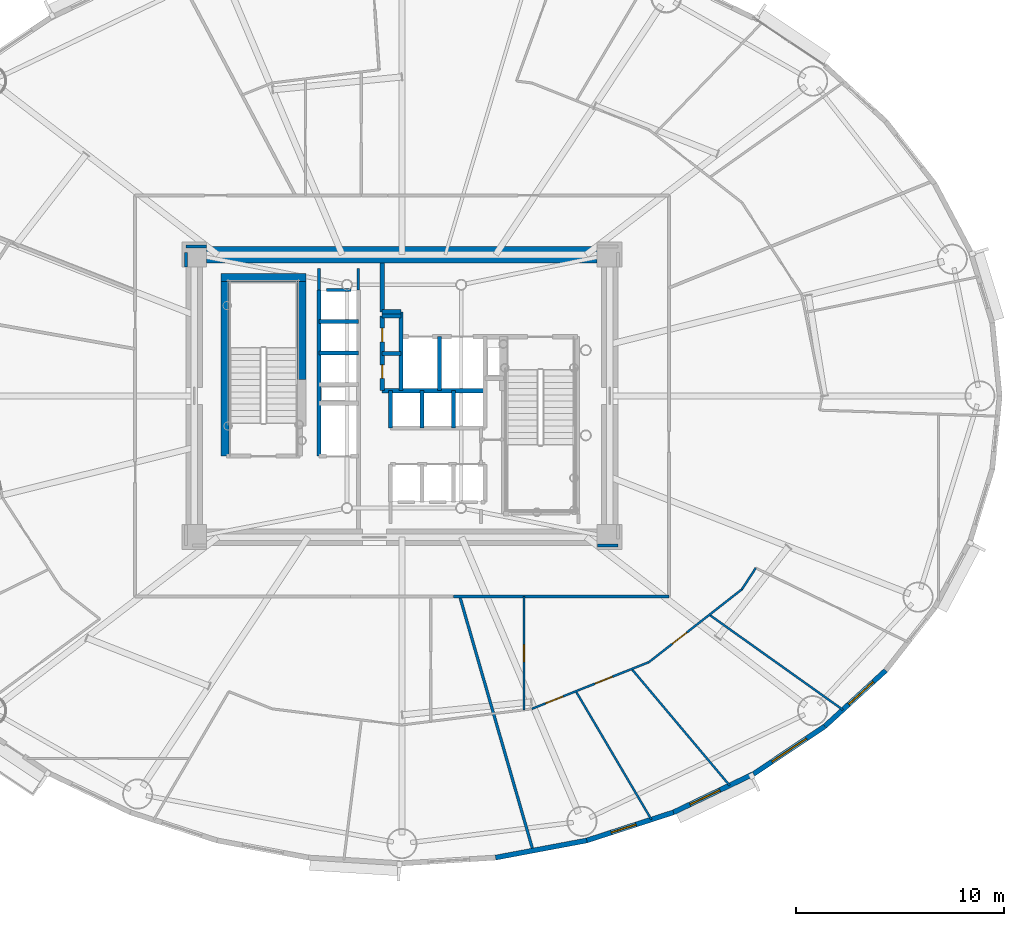
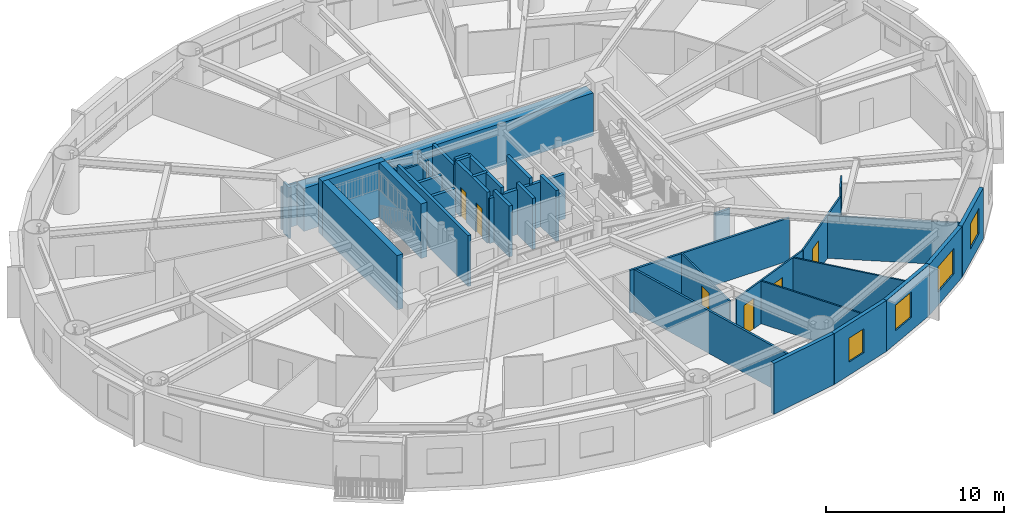
# One storey, part 13 of 22: 38 walls, 6 doors, 4 windows, 10 openings.
"""IFC4 building model written with IfcOpenShell, lengths in metres."""

from ifc_helpers import new_model, si_unit, direction, frame, frame_2d, origin, origin_2d, place, context, subcontext, project, spatial, rectangle, extrude, source, transform, mapped, material, layer, layer_set, type_object, element, fill, save


model = new_model("IFC4")

# Units and contexts
model_context = context("Model", 3, precision=1e-05, world=origin(), true_north=direction((0.0, 1.0)))
body_context = subcontext(model_context, "Body", "Model", "MODEL_VIEW")
ifc_project = project(units=[si_unit("LENGTHUNIT", "METRE"), si_unit("AREAUNIT", "SQUARE_METRE"), si_unit("VOLUMEUNIT", "CUBIC_METRE"), si_unit("PLANEANGLEUNIT", "RADIAN"), si_unit("MASSUNIT", "GRAM", prefix="KILO")], contexts=[model_context])

# Site, building, storey
site_placement = place(None, origin())
site = spatial("IfcSite", under=ifc_project, at=site_placement, CompositionType="ELEMENT")
building_placement = place(site_placement, origin())
building = spatial("IfcBuilding", under=site, at=building_placement, Name="Linh Dai School and Residence Tower", CompositionType="ELEMENT")
storey_placement = place(building_placement, frame((0.0, 0.0, 130.949951171875)))
storey = spatial("IfcBuildingStorey", under=building, at=storey_placement, Name="L31", CompositionType="ELEMENT", Elevation=130.949951171875)

# Wall
ifc_material_1 = material(Name="Precast Concrete B45 (C35/45)", Category="concrete")
ifc_layer_1 = layer(ifc_material_1, 0.239990234375)
ifc_layer_set_1 = layer_set([ifc_layer_1], Name="Precast Concrete B45 (C35/45)")
wall_type_1 = type_object("IfcWallType", Name="EW-TC-240", PredefinedType="SOLIDWALL", material=ifc_layer_set_1)
wall_1_placement = place(storey_placement, frame((44.899658203125, 5.5986328125, 0.0), z_axis=(0.0, 0.0, 1.0), x_axis=(-0.982789252177, -0.184730305596, 0.0)))
element("IfcWall", 1, at=wall_1_placement, inside=storey, type_object=wall_type_1, Name="L31 Terracotta Exterior Wall 32", PredefinedType="SOLIDWALL", context=body_context, shape_type="SweptSolid", body=[
    extrude(rectangle(XDim=4.470947265625, YDim=0.239990234375, at=frame_2d((2.2353515625, 0.0))), origin(), (0.0, 0.0, 1.0), 3.5),
])

# Wall, opening, window
wall_2_placement = place(storey_placement, frame((49.073974609375, 6.95263671875, 0.0), z_axis=(0.0, 0.0, 1.0), x_axis=(-0.951211346073, -0.308540070495, 0.0)))
wall_2 = element("IfcWall", 2, at=wall_2_placement, inside=storey, type_object=wall_type_1, Name="L31 Terracotta Exterior Wall 33", PredefinedType="SOLIDWALL", context=body_context, shape_type="SweptSolid", body=[
    extrude(rectangle(XDim=4.388427734375, YDim=0.239990234375, at=frame_2d((2.1943359375, 0.0))), origin(), (0.0, 0.0, 1.0), 3.5),
])
opening_1_placement = place(wall_2_placement, frame((1.902099609375, 0.0, 0.89990234375)))
opening_1 = element("IfcOpeningElement", 3, at=opening_1_placement, cuts=wall_2, Name="Opening W3", PredefinedType="OPENING", context=body_context, shape_type="SweptSolid", body=[
    extrude(rectangle(XDim=1.25, YDim=1.64990234375, at=origin_2d()), frame((0.625, 0.1298828125, 0.824951171875), z_axis=(0.0, -1.0, 0.0), x_axis=(1.0, 0.0, 0.0)), (0.0, 0.0, 1.0), 0.260009765625),
])
ifc_material_2 = material(Name="Double Low-E Insulated Glazing", Category="glass")
window_type_1 = type_object("IfcWindowType", Name="WN-RES-1250x1650", PartitioningType="SINGLE_PANEL", PredefinedType="WINDOW", material=ifc_material_2)
shared_shape_1 = source(origin(), body_context, "Body", "SweptSolid", [
    extrude(rectangle(XDim=1.25, YDim=1.64990234375, at=origin_2d()), frame((0.625, 0.030029296875, 0.824951171875), z_axis=(0.0, -1.0, 0.0), x_axis=(1.0, 0.0, 0.0)), (0.0, 0.0, 1.0), 0.06005859375),
])
window_1_placement = place(opening_1_placement, origin())
window_1 = element("IfcWindow", 4, at=window_1_placement, inside=storey, type_object=window_type_1, Name="L31 Dwelling Window U3102-BD1", OverallHeight=1.64990234375, OverallWidth=1.25, PartitioningType="SINGLE_PANEL", PredefinedType="WINDOW", context=body_context, shape_type="MappedRepresentation", body=[
    mapped(shared_shape_1, transform((0.0, 0.0, 0.0), x_axis=(1.0, 0.0, 0.0), y_axis=(0.0, 1.0, 0.0), z_axis=(0.0, 0.0, 1.0), scale=1.0)),
])
fill(opening_1, window_1)

wall_3_placement = place(storey_placement, frame((52.92529296875, 8.800537109375, 0.0), z_axis=(0.0, 0.0, 1.0), x_axis=(-0.901589935876, -0.432591709962, 0.0)))
wall_3 = element("IfcWall", 5, at=wall_3_placement, inside=storey, type_object=wall_type_1, Name="L31 Terracotta Exterior Wall 34", PredefinedType="SOLIDWALL", context=body_context, shape_type="SweptSolid", body=[
    extrude(rectangle(XDim=4.271728515625, YDim=0.239990234375, at=frame_2d((2.1357421875, 0.0))), origin(), (0.0, 0.0, 1.0), 3.5),
])
opening_2_placement = place(wall_3_placement, frame((1.796142578125, 0.0, 0.89990234375)))
opening_2 = element("IfcOpeningElement", 6, at=opening_2_placement, cuts=wall_3, Name="Opening W2", PredefinedType="OPENING", context=body_context, shape_type="SweptSolid", body=[
    extrude(rectangle(XDim=1.60009765625, YDim=1.75, at=origin_2d()), frame((0.800048828125, 0.1298828125, 0.875), z_axis=(0.0, -1.0, 0.0), x_axis=(1.0, 0.0, 0.0)), (0.0, 0.0, 1.0), 0.260009765625),
])
window_type_2 = type_object("IfcWindowType", Name="WN-RES-1600x1750", PartitioningType="DOUBLE_PANEL_VERTICAL", PredefinedType="WINDOW", material=ifc_material_2)
shared_shape_2 = source(origin(), body_context, "Body", "SweptSolid", [
    extrude(rectangle(XDim=1.60009765625, YDim=1.75, at=origin_2d()), frame((0.800048828125, 0.030029296875, 0.875), z_axis=(0.0, -1.0, 0.0), x_axis=(1.0, 0.0, 0.0)), (0.0, 0.0, 1.0), 0.06005859375),
])
window_2_placement = place(opening_2_placement, origin())
window_2 = element("IfcWindow", 7, at=window_2_placement, inside=storey, type_object=window_type_2, Name="L31 Exterior Window 34.1", OverallHeight=1.75, OverallWidth=1.60009765625, PartitioningType="DOUBLE_PANEL_VERTICAL", PredefinedType="WINDOW", context=body_context, shape_type="MappedRepresentation", body=[
    mapped(shared_shape_2, transform((0.0, 0.0, 0.0), x_axis=(1.0, 0.0, 0.0), y_axis=(0.0, 1.0, 0.0), z_axis=(0.0, 0.0, 1.0), scale=1.0)),
])
fill(opening_2, window_2)

wall_4_placement = place(storey_placement, frame((56.3583984375, 11.0966796875, 0.0), z_axis=(0.0, 0.0, 1.0), x_axis=(-0.831221811447, -0.555940914284, 0.0)))
wall_4 = element("IfcWall", 8, at=wall_4_placement, inside=storey, type_object=wall_type_1, Name="L31 Terracotta Exterior Wall 35", PredefinedType="SOLIDWALL", context=body_context, shape_type="SweptSolid", body=[
    extrude(rectangle(XDim=4.130126953125, YDim=0.239990234375, at=frame_2d((2.06494140625, 0.0))), origin(), (0.0, 0.0, 1.0), 3.5),
])
opening_3_placement = place(wall_4_placement, frame((1.065185546875, 0.0, 0.89990234375)))
opening_3 = element("IfcOpeningElement", 9, at=opening_3_placement, cuts=wall_4, Name="Opening W1", PredefinedType="OPENING", context=body_context, shape_type="SweptSolid", body=[
    extrude(rectangle(XDim=2.0, YDim=1.75, at=origin_2d()), frame((1.0, 0.1298828125, 0.875), z_axis=(0.0, -1.0, 0.0), x_axis=(1.0, 0.0, 0.0)), (0.0, 0.0, 1.0), 0.260009765625),
])
window_type_3 = type_object("IfcWindowType", Name="WN-RES-2000x1750", PartitioningType="DOUBLE_PANEL_VERTICAL", PredefinedType="WINDOW", material=ifc_material_2)
shared_shape_3 = source(origin(), body_context, "Body", "SweptSolid", [
    extrude(rectangle(XDim=2.0, YDim=1.75, at=origin_2d()), frame((1.0, 0.030029296875, 0.875), z_axis=(0.0, -1.0, 0.0), x_axis=(1.0, 0.0, 0.0)), (0.0, 0.0, 1.0), 0.06005859375),
])
window_3_placement = place(opening_3_placement, origin())
window_3 = element("IfcWindow", 10, at=window_3_placement, inside=storey, type_object=window_type_3, Name="L31 Exterior Window 35.1", OverallHeight=1.75, OverallWidth=2.0, PartitioningType="DOUBLE_PANEL_VERTICAL", PredefinedType="WINDOW", context=body_context, shape_type="MappedRepresentation", body=[
    mapped(shared_shape_3, transform((0.0, 0.0, 0.0), x_axis=(1.0, 0.0, 0.0), y_axis=(0.0, 1.0, 0.0), z_axis=(0.0, 0.0, 1.0), scale=1.0)),
])
fill(opening_3, window_3)

wall_5_placement = place(storey_placement, frame((59.2890625, 13.783447265625, 0.0), z_axis=(0.0, 0.0, 1.0), x_axis=(-0.737113356241, -0.675769117414, 0.0)))
wall_5 = element("IfcWall", 11, at=wall_5_placement, inside=storey, type_object=wall_type_1, Name="L31 Terracotta Exterior Wall 36", PredefinedType="SOLIDWALL", context=body_context, shape_type="SweptSolid", body=[
    extrude(rectangle(XDim=3.975830078125, YDim=0.239990234375, at=frame_2d((1.98779296875, 0.0))), origin(), (0.0, 0.0, 1.0), 3.5),
])
opening_4_placement = place(wall_5_placement, frame((0.809326171875, 0.0, 0.89990234375)))
opening_4 = element("IfcOpeningElement", 12, at=opening_4_placement, cuts=wall_5, Name="Opening W2", PredefinedType="OPENING", context=body_context, shape_type="SweptSolid", body=[
    extrude(rectangle(XDim=1.60009765625, YDim=1.75, at=origin_2d()), frame((0.800048828125, 0.1298828125, 0.875), z_axis=(0.0, -1.0, 0.0), x_axis=(1.0, 0.0, 0.0)), (0.0, 0.0, 1.0), 0.260009765625),
])
window_4_placement = place(opening_4_placement, origin())
window_4 = element("IfcWindow", 13, at=window_4_placement, inside=storey, type_object=window_type_2, Name="L31 Exterior Window 36.1", OverallHeight=1.75, OverallWidth=1.60009765625, PartitioningType="DOUBLE_PANEL_VERTICAL", PredefinedType="WINDOW", context=body_context, shape_type="MappedRepresentation", body=[
    mapped(shared_shape_2, transform((0.0, 0.0, 0.0), x_axis=(1.0, 0.0, 0.0), y_axis=(0.0, 1.0, 0.0), z_axis=(0.0, 0.0, 1.0), scale=1.0)),
])
fill(opening_4, window_4)

# Walls
ifc_material_3 = material(Name="Autoclaved Aerated Concrete Blockwork", Category="masonry")
ifc_layer_2 = layer(ifc_material_3, 0.135009765625)
ifc_layer_set_2 = layer_set([ifc_layer_2], Name="Autoclaved Aerated Concrete Blockwork")
wall_type_2 = type_object("IfcWallType", Name="IW-CORR-135-EI90", PredefinedType="PARTITIONING", material=ifc_layer_set_2)
wall_6_placement = place(storey_placement, frame((38.47705078125, 17.35009765625, 0.0), z_axis=(0.0, 0.0, 1.0), x_axis=(1.0, 0.0, 0.0)))
element("IfcWall", 14, at=wall_6_placement, inside=storey, type_object=wall_type_2, Name="L31 Interior Partition Wall 057", PredefinedType="PARTITIONING", context=body_context, shape_type="SweptSolid", body=[
    extrude(rectangle(XDim=10.373046875, YDim=0.135009765625, at=frame_2d((5.1865234375, 0.0))), origin(), (0.0, 0.0, 1.0), 2.93505859375),
])
wall_7_placement = place(storey_placement, frame((38.78173828125, 17.35009765625, 0.0), z_axis=(0.0, 0.0, 1.0), x_axis=(0.27698784025, -0.96087342369, 0.0)))
element("IfcWall", 15, at=wall_7_placement, inside=storey, type_object=wall_type_2, Name="L31 Interior Partition Wall 060", PredefinedType="PARTITIONING", context=body_context, shape_type="SweptSolid", body=[
    extrude(rectangle(XDim=12.74169921875, YDim=0.135009765625, at=frame_2d((6.370849609375, 0.0))), origin(), (0.0, 0.0, 1.0), 2.93505859375),
])
wall_8_placement = place(storey_placement, frame((32.360107421875, 32.10009765625, 0.0), z_axis=(0.0, 0.0, 1.0), x_axis=(1.0, 0.0, 0.0)))
element("IfcWall", 16, at=wall_8_placement, inside=storey, type_object=wall_type_2, Name="L31 Interior Partition Wall 097", PredefinedType="PARTITIONING", context=body_context, shape_type="SweptSolid", body=[
    extrude(rectangle(XDim=1.179931640625, YDim=0.135009765625, at=frame_2d((0.58984375, 0.0))), origin(), (0.0, 0.0, 1.0), 3.0849609375),
])
wall_9_placement = place(storey_placement, frame((32.0, 33.139892578125, 0.0), z_axis=(0.0, 0.0, 1.0), x_axis=(0.0, -1.0, 0.0)))
element("IfcWall", 17, at=wall_9_placement, inside=storey, type_object=wall_type_2, Name="L31 Interior Partition Wall 099", PredefinedType="PARTITIONING", context=body_context, shape_type="SweptSolid", body=[
    extrude(rectangle(XDim=1.02978515625, YDim=0.135009765625, at=frame_2d((0.514892578125, 0.0))), origin(), (0.0, 0.0, 1.0), 3.03515625),
])
wall_10_placement = place(storey_placement, frame((33.89990234375, 32.110107421875, 0.0), z_axis=(0.0, 0.0, 1.0), x_axis=(0.0, 1.0, 0.0)))
element("IfcWall", 18, at=wall_10_placement, inside=storey, type_object=wall_type_2, Name="L31 Interior Partition Wall 102", PredefinedType="PARTITIONING", context=body_context, shape_type="SweptSolid", body=[
    extrude(rectangle(XDim=1.02978515625, YDim=0.135009765625, at=frame_2d((0.514892578125, 0.0))), origin(), (0.0, 0.0, 1.0), 3.0849609375),
])
wall_11_placement = place(storey_placement, frame((26.590087890625, 34.199951171875, 0.0), z_axis=(0.0, 0.0, 1.0), x_axis=(-1.0, 0.0, 0.0)))
element("IfcWall", 19, at=wall_11_placement, inside=storey, type_object=wall_type_2, Name="L31 Interior Partition Wall 106", PredefinedType="PARTITIONING", context=body_context, shape_type="SweptSolid", body=[
    extrude(rectangle(XDim=0.989990234375, YDim=0.135009765625, at=frame_2d((0.4951171875, 0.0))), origin(), (0.0, 0.0, 1.0), 2.93505859375),
])
wall_12_placement = place(storey_placement, frame((25.60009765625, 33.892578125, 0.0), z_axis=(0.0, 0.0, 1.0), x_axis=(0.0, -1.0, 0.0)))
element("IfcWall", 20, at=wall_12_placement, inside=storey, type_object=wall_type_2, Name="L31 Interior Partition Wall 107", PredefinedType="PARTITIONING", context=body_context, shape_type="SweptSolid", body=[
    extrude(rectangle(XDim=0.6826171875, YDim=0.135009765625, at=frame_2d((0.34130859375, 0.0))), origin(), (0.0, 0.0, 1.0), 3.5),
])
wall_13_placement = place(storey_placement, frame((45.409912109375, 19.800048828125, 0.0), z_axis=(0.0, 0.0, 1.0), x_axis=(1.0, 0.0, 0.0)))
element("IfcWall", 21, at=wall_13_placement, inside=storey, type_object=wall_type_2, Name="L31 Interior Partition Wall 110", PredefinedType="PARTITIONING", context=body_context, shape_type="SweptSolid", body=[
    extrude(rectangle(XDim=0.989990234375, YDim=0.135009765625, at=frame_2d((0.4951171875, 0.0))), origin(), (0.0, 0.0, 1.0), 2.93505859375),
])
ifc_material_4 = material(Name="Concrete B45 (C35/45)", Category="concrete")
ifc_layer_3 = layer(ifc_material_4, 0.199951171875)
ifc_layer_set_3 = layer_set([ifc_layer_3], Name="Concrete B45 (C35/45)")
wall_type_3 = type_object("IfcWallType", Name="IW-SHAFT-200-EI120", PredefinedType="PARTITIONING", material=ifc_layer_set_3)
wall_14_placement = place(storey_placement, frame((32.0, 24.10009765625, 0.0), z_axis=(0.0, 0.0, 1.0), x_axis=(0.0, 1.0, 0.0)))
element("IfcWall", 22, at=wall_14_placement, inside=storey, type_object=wall_type_3, Name="L31 Interior Partition Wall 029", PredefinedType="PARTITIONING", context=body_context, shape_type="SweptSolid", body=[
    extrude(rectangle(XDim=8.0, YDim=0.199951171875, at=frame_2d((4.0, 0.0))), origin(), (0.0, 0.0, 1.0), 3.5),
])
for number, where, z_axis, x_axis, name in (
    (23, (32.0, 29.06005859375, 0.0), (0.0, 0.0, 1.0), (1.0, 0.0, 0.0), "L31 Interior Partition Wall 033"),
    (24, (32.0, 30.580078125, 0.0), (0.0, 0.0, 1.0), (1.0, 0.0, 0.0), "L31 Interior Partition Wall 034"),
):
    element("IfcWall", number, at=place(storey_placement, frame(where, z_axis=z_axis, x_axis=x_axis)), inside=storey, type_object=wall_type_3, Name=name, PredefinedType="PARTITIONING", context=body_context, shape_type="SweptSolid", body=[
        extrude(rectangle(XDim=1.89990234375, YDim=0.199951171875, at=frame_2d((0.949951171875, 0.0))), origin(), (0.0, 0.0, 1.0), 3.0849609375),
    ])

# Wall, openings, doors
wall_15_placement = place(storey_placement, frame((35.050048828125, 27.25, 0.0), z_axis=(0.0, 0.0, 1.0), x_axis=(0.0, 1.0, 0.0)))
wall_15 = element("IfcWall", 25, at=wall_15_placement, inside=storey, type_object=wall_type_3, Name="L31 Interior Partition Wall 039", PredefinedType="PARTITIONING", context=body_context, shape_type="SweptSolid", body=[
    extrude(rectangle(XDim=3.60009765625, YDim=0.199951171875, at=frame_2d((1.800048828125, 0.0))), origin(), (0.0, 0.0, 1.0), 3.5),
])
opening_5_placement = place(wall_15_placement, frame((0.590087890625, 0.0, 0.0)))
opening_5 = element("IfcOpeningElement", 26, at=opening_5_placement, cuts=wall_15, Name="Opening AD1", PredefinedType="OPENING", context=body_context, shape_type="SweptSolid", body=[
    extrude(rectangle(XDim=0.659912109375, YDim=2.050048828125, at=origin_2d()), frame((0.330078125, 0.10986328125, 1.02490234375), z_axis=(0.0, -1.0, 0.0), x_axis=(1.0, 0.0, 0.0)), (0.0, 0.0, 1.0), 0.219970703125),
])
opening_6_placement = place(wall_15_placement, frame((2.35009765625, 0.0, 0.0)))
opening_6 = element("IfcOpeningElement", 27, at=opening_6_placement, cuts=wall_15, Name="Opening AD1", PredefinedType="OPENING", context=body_context, shape_type="SweptSolid", body=[
    extrude(rectangle(XDim=0.659912109375, YDim=2.050048828125, at=origin_2d()), frame((0.330078125, 0.10986328125, 1.02490234375), z_axis=(0.0, -1.0, 0.0), x_axis=(1.0, 0.0, 0.0)), (0.0, 0.0, 1.0), 0.219970703125),
])
ifc_material_5 = material(Name="Fire-Rated Steel Riser Access Door", Category="steel")
door_type_1 = type_object("IfcDoorType", Name="DR-ACC-660x2050-FD90S", OperationType="NOTDEFINED", PredefinedType="USERDEFINED", material=ifc_material_5)
shared_shape_4 = source(origin(), body_context, "Body", "SweptSolid", [
    extrude(rectangle(XDim=0.659912109375, YDim=2.050048828125, at=origin_2d()), frame((0.330078125, 0.02490234375, 1.02490234375), z_axis=(0.0, -1.0, 0.0), x_axis=(1.0, 0.0, 0.0)), (0.0, 0.0, 1.0), 0.050048828125),
])
door_1_placement = place(opening_5_placement, origin())
door_1 = element("IfcDoor", 28, at=door_1_placement, inside=storey, type_object=door_type_1, Name="L31 Telecom and Data Riser Access Door", ObjectType="ACCESS DOOR", OperationType="SINGLE_SWING_LEFT", OverallHeight=2.050048828125, OverallWidth=0.659912109375, PredefinedType="USERDEFINED", context=body_context, shape_type="MappedRepresentation", body=[
    mapped(shared_shape_4, transform((0.0, 0.0, 0.0), x_axis=(1.0, 0.0, 0.0), y_axis=(0.0, 1.0, 0.0), z_axis=(0.0, 0.0, 1.0), scale=1.0)),
])
fill(opening_5, door_1)
door_2_placement = place(opening_6_placement, origin())
door_2 = element("IfcDoor", 29, at=door_2_placement, inside=storey, type_object=door_type_1, Name="L31 Mechanical and Plumbing Riser Access Door", ObjectType="ACCESS DOOR", OperationType="SINGLE_SWING_RIGHT", OverallHeight=2.050048828125, OverallWidth=0.659912109375, PredefinedType="USERDEFINED", context=body_context, shape_type="MappedRepresentation", body=[
    mapped(shared_shape_4, transform((0.0, 0.0, 0.0), x_axis=(1.0, 0.0, 0.0), y_axis=(0.0, 1.0, 0.0), z_axis=(0.0, 0.0, 1.0), scale=1.0)),
])
fill(opening_6, door_2)

# Walls
wall_16_placement = place(storey_placement, frame((35.050048828125, 27.25, 0.0), z_axis=(0.0, 0.0, 1.0), x_axis=(1.0, 0.0, 0.0)))
element("IfcWall", 30, at=wall_16_placement, inside=storey, type_object=wall_type_3, Name="L31 Interior Partition Wall 040", PredefinedType="PARTITIONING", context=body_context, shape_type="SweptSolid", body=[
    extrude(rectangle(XDim=4.949951171875, YDim=0.199951171875, at=frame_2d((2.47509765625, 0.0))), origin(), (0.0, 0.0, 1.0), 3.0849609375),
])
for number, where, z_axis, x_axis, name in (
    (31, (35.050048828125, 29.050048828125, 0.0), (0.0, 0.0, 1.0), (1.0, 0.0, 0.0), "L31 Interior Partition Wall 041"),
    (32, (35.050048828125, 30.85009765625, 0.0), (0.0, 0.0, 1.0), (1.0, 0.0, 0.0), "L31 Interior Partition Wall 042"),
):
    element("IfcWall", number, at=place(storey_placement, frame(where, z_axis=z_axis, x_axis=x_axis)), inside=storey, type_object=wall_type_3, Name=name, PredefinedType="PARTITIONING", context=body_context, shape_type="SweptSolid", body=[
        extrude(rectangle(XDim=0.89990234375, YDim=0.199951171875, at=frame_2d((0.449951171875, 0.0))), origin(), (0.0, 0.0, 1.0), 3.5),
    ])
wall_17_placement = place(storey_placement, frame((35.050048828125, 31.050048828125, 0.0), z_axis=(0.0, 0.0, 1.0), x_axis=(0.0, 1.0, 0.0)))
element("IfcWall", 33, at=wall_17_placement, inside=storey, type_object=wall_type_3, Name="L31 Interior Partition Wall 043", PredefinedType="PARTITIONING", context=body_context, shape_type="SweptSolid", body=[
    extrude(rectangle(XDim=2.349853515625, YDim=0.199951171875, at=frame_2d((1.1748046875, 0.0))), origin(), (0.0, 0.0, 1.0), 3.0849609375),
])
wall_18_placement = place(storey_placement, frame((35.050048828125, 31.050048828125, 0.0), z_axis=(0.0, 0.0, 1.0), x_axis=(1.0, 0.0, 0.0)))
element("IfcWall", 34, at=wall_18_placement, inside=storey, type_object=wall_type_3, Name="L31 Interior Partition Wall 044", PredefinedType="PARTITIONING", context=body_context, shape_type="SweptSolid", body=[
    extrude(rectangle(XDim=0.89990234375, YDim=0.199951171875, at=frame_2d((0.449951171875, 0.0))), origin(), (0.0, 0.0, 1.0), 3.5),
])
wall_19_placement = place(storey_placement, frame((35.449951171875, 25.449951171875, 0.0), z_axis=(0.0, 0.0, 1.0), x_axis=(0.0, 1.0, 0.0)))
element("IfcWall", 35, at=wall_19_placement, inside=storey, type_object=wall_type_3, Name="L31 Interior Partition Wall 048", PredefinedType="PARTITIONING", context=body_context, shape_type="SweptSolid", body=[
    extrude(rectangle(XDim=1.800048828125, YDim=0.199951171875, at=frame_2d((0.89990234375, 0.0))), origin(), (0.0, 0.0, 1.0), 3.5),
])
wall_20_placement = place(storey_placement, frame((35.949951171875, 27.25, 0.0), z_axis=(0.0, 0.0, 1.0), x_axis=(0.0, 1.0, 0.0)))
element("IfcWall", 36, at=wall_20_placement, inside=storey, type_object=wall_type_3, Name="L31 Interior Partition Wall 050", PredefinedType="PARTITIONING", context=body_context, shape_type="SweptSolid", body=[
    extrude(rectangle(XDim=3.800048828125, YDim=0.199951171875, at=frame_2d((1.89990234375, 0.0))), origin(), (0.0, 0.0, 1.0), 3.5),
])
wall_21_placement = place(storey_placement, frame((36.9599609375, 25.449951171875, 0.0), z_axis=(0.0, 0.0, 1.0), x_axis=(0.0, 1.0, 0.0)))
element("IfcWall", 37, at=wall_21_placement, inside=storey, type_object=wall_type_3, Name="L31 Interior Partition Wall 054", PredefinedType="PARTITIONING", context=body_context, shape_type="SweptSolid", body=[
    extrude(rectangle(XDim=1.800048828125, YDim=0.199951171875, at=frame_2d((0.89990234375, 0.0))), origin(), (0.0, 0.0, 1.0), 3.5),
])
wall_22_placement = place(storey_placement, frame((37.800048828125, 27.25, 0.0), z_axis=(0.0, 0.0, 1.0), x_axis=(0.0, 1.0, 0.0)))
element("IfcWall", 38, at=wall_22_placement, inside=storey, type_object=wall_type_3, Name="L31 Interior Partition Wall 056", PredefinedType="PARTITIONING", context=body_context, shape_type="SweptSolid", body=[
    extrude(rectangle(XDim=2.60009765625, YDim=0.199951171875, at=frame_2d((1.300048828125, 0.0))), origin(), (0.0, 0.0, 1.0), 3.5),
])
wall_23_placement = place(storey_placement, frame((38.47998046875, 25.449951171875, 0.0), z_axis=(0.0, 0.0, 1.0), x_axis=(0.0, 1.0, 0.0)))
element("IfcWall", 39, at=wall_23_placement, inside=storey, type_object=wall_type_3, Name="L31 Interior Partition Wall 059", PredefinedType="PARTITIONING", context=body_context, shape_type="SweptSolid", body=[
    extrude(rectangle(XDim=1.800048828125, YDim=0.199951171875, at=frame_2d((0.89990234375, 0.0))), origin(), (0.0, 0.0, 1.0), 3.5),
])

# Wall, opening, door
ifc_material_6 = material(Name="Gypsum Plasterboard Acoustic Stud Partition", Category="masonry")
ifc_layer_4 = layer(ifc_material_6, 0.10009765625)
ifc_layer_set_4 = layer_set([ifc_layer_4], Name="Gypsum Plasterboard Acoustic Stud Partition")
wall_type_4 = type_object("IfcWallType", Name="IW-UNIT-100", PredefinedType="PARTITIONING", material=ifc_layer_set_4)
wall_24_placement = place(storey_placement, frame((41.874267578125, 11.887451171875, 0.0), z_axis=(0.0, 0.0, 1.0), x_axis=(0.0, 1.0, 0.0)))
wall_24 = element("IfcWall", 40, at=wall_24_placement, inside=storey, type_object=wall_type_4, Name="L31 Interior Partition Wall 071", PredefinedType="PARTITIONING", context=body_context, shape_type="SweptSolid", body=[
    extrude(rectangle(XDim=5.462646484375, YDim=0.10009765625, at=frame_2d((2.7314453125, 0.0))), origin(), (0.0, 0.0, 1.0), 2.93505859375),
])
opening_7_placement = place(wall_24_placement, frame((2.3212890625, 0.0, 0.0)))
opening_7 = element("IfcOpeningElement", 41, at=opening_7_placement, cuts=wall_24, Name="Opening D06", PredefinedType="OPENING", context=body_context, shape_type="SweptSolid", body=[
    extrude(rectangle(XDim=0.820068359375, YDim=2.10009765625, at=origin_2d()), frame((0.41015625, 0.06005859375, 1.050048828125), z_axis=(0.0, -1.0, 0.0), x_axis=(1.0, 0.0, 0.0)), (0.0, 0.0, 1.0), 0.1201171875),
])
ifc_material_7 = material(Name="Moisture-Resistant Timber Bathroom Door", Category="wood")
door_type_2 = type_object("IfcDoorType", Name="DR-WET-820x2100", OperationType="NOTDEFINED", PredefinedType="DOOR", material=ifc_material_7)
shared_shape_5 = source(origin(), body_context, "Body", "SweptSolid", [
    extrude(rectangle(XDim=0.820068359375, YDim=2.10009765625, at=origin_2d()), frame((0.41015625, 0.02490234375, 1.050048828125), z_axis=(0.0, -1.0, 0.0), x_axis=(1.0, 0.0, 0.0)), (0.0, 0.0, 1.0), 0.050048828125),
])
door_3_placement = place(opening_7_placement, origin())
door_3 = element("IfcDoor", 42, at=door_3_placement, inside=storey, type_object=door_type_2, Name="L31 Apartment U3102 Bathroom 1 Door", OperationType="SINGLE_SWING_LEFT", OverallHeight=2.10009765625, OverallWidth=0.820068359375, PredefinedType="DOOR", context=body_context, shape_type="MappedRepresentation", body=[
    mapped(shared_shape_5, transform((0.0, 0.0, 0.0), x_axis=(1.0, 0.0, 0.0), y_axis=(0.0, 1.0, 0.0), z_axis=(0.0, 0.0, 1.0), scale=1.0)),
])
fill(opening_7, door_3)

# Wall, openings, doors
wall_25_placement = place(storey_placement, frame((42.25146484375, 11.934326171875, 0.0), z_axis=(0.0, 0.0, 1.0), x_axis=(0.928803554156, 0.370572473055, 0.0)))
wall_25 = element("IfcWall", 43, at=wall_25_placement, inside=storey, type_object=wall_type_4, Name="L31 Interior Partition Wall 072", PredefinedType="PARTITIONING", context=body_context, shape_type="SweptSolid", body=[
    extrude(rectangle(XDim=6.07177734375, YDim=0.10009765625, at=frame_2d((3.035888671875, 0.0))), origin(), (0.0, 0.0, 1.0), 2.93505859375),
])
opening_8_placement = place(wall_25_placement, frame((0.711669921875, 0.0, 0.0)))
opening_8 = element("IfcOpeningElement", 44, at=opening_8_placement, cuts=wall_25, Name="Opening D05", PredefinedType="OPENING", context=body_context, shape_type="SweptSolid", body=[
    extrude(rectangle(XDim=0.89990234375, YDim=2.10009765625, at=origin_2d()), frame((0.449951171875, 0.06005859375, 1.050048828125), z_axis=(0.0, -1.0, 0.0), x_axis=(1.0, 0.0, 0.0)), (0.0, 0.0, 1.0), 0.1201171875),
])
opening_9_placement = place(wall_25_placement, frame((3.27978515625, 0.0, 0.0)))
opening_9 = element("IfcOpeningElement", 45, at=opening_9_placement, cuts=wall_25, Name="Opening D05", PredefinedType="OPENING", context=body_context, shape_type="SweptSolid", body=[
    extrude(rectangle(XDim=0.89990234375, YDim=2.10009765625, at=origin_2d()), frame((0.449951171875, 0.06005859375, 1.050048828125), z_axis=(0.0, -1.0, 0.0), x_axis=(1.0, 0.0, 0.0)), (0.0, 0.0, 1.0), 0.1201171875),
])
ifc_material_8 = material(Name="Engineered Timber Internal Door", Category="wood")
door_type_3 = type_object("IfcDoorType", Name="DR-INT-900x2100", OperationType="NOTDEFINED", PredefinedType="DOOR", material=ifc_material_8)
shared_shape_6 = source(origin(), body_context, "Body", "SweptSolid", [
    extrude(rectangle(XDim=0.89990234375, YDim=2.10009765625, at=origin_2d()), frame((0.449951171875, 0.02490234375, 1.050048828125), z_axis=(0.0, -1.0, 0.0), x_axis=(1.0, 0.0, 0.0)), (0.0, 0.0, 1.0), 0.050048828125),
])
door_4_placement = place(opening_8_placement, origin())
door_4 = element("IfcDoor", 46, at=door_4_placement, inside=storey, type_object=door_type_3, Name="L31 Apartment U3102 Principal Bedroom 1 Door", OperationType="SINGLE_SWING_LEFT", OverallHeight=2.10009765625, OverallWidth=0.89990234375, PredefinedType="DOOR", context=body_context, shape_type="MappedRepresentation", body=[
    mapped(shared_shape_6, transform((0.0, 0.0, 0.0), x_axis=(1.0, 0.0, 0.0), y_axis=(0.0, 1.0, 0.0), z_axis=(0.0, 0.0, 1.0), scale=1.0)),
])
fill(opening_8, door_4)
door_5_placement = place(opening_9_placement, origin())
door_5 = element("IfcDoor", 47, at=door_5_placement, inside=storey, type_object=door_type_3, Name="L31 Apartment U3102 Study Door", OperationType="SINGLE_SWING_RIGHT", OverallHeight=2.10009765625, OverallWidth=0.89990234375, PredefinedType="DOOR", context=body_context, shape_type="MappedRepresentation", body=[
    mapped(shared_shape_6, transform((0.0, 0.0, 0.0), x_axis=(1.0, 0.0, 0.0), y_axis=(0.0, 1.0, 0.0), z_axis=(0.0, 0.0, 1.0), scale=1.0)),
])
fill(opening_9, door_5)

# Walls
wall_26_placement = place(storey_placement, frame((44.3720703125, 12.780517578125, 0.0), z_axis=(0.0, 0.0, 1.0), x_axis=(0.50733706245, -0.861747703835, 0.0)))
element("IfcWall", 48, at=wall_26_placement, inside=storey, type_object=wall_type_4, Name="L31 Interior Partition Wall 074", PredefinedType="PARTITIONING", context=body_context, shape_type="SweptSolid", body=[
    extrude(rectangle(XDim=7.169677734375, YDim=0.10009765625, at=frame_2d((3.5849609375, 0.0))), origin(), (0.0, 0.0, 1.0), 2.93505859375),
])
wall_27_placement = place(storey_placement, frame((47.0595703125, 13.8525390625, 0.0), z_axis=(0.0, 0.0, 1.0), x_axis=(0.64372942685, -0.765253177065, 0.0)))
element("IfcWall", 49, at=wall_27_placement, inside=storey, type_object=wall_type_4, Name="L31 Interior Partition Wall 077", PredefinedType="PARTITIONING", context=body_context, shape_type="SweptSolid", body=[
    extrude(rectangle(XDim=7.328857421875, YDim=0.10009765625, at=frame_2d((3.66455078125, 0.0))), origin(), (0.0, 0.0, 1.0), 2.93505859375),
])

# Wall, opening, door
wall_28_placement = place(storey_placement, frame((47.890869140625, 14.184326171875, 0.0), z_axis=(0.0, 0.0, 1.0), x_axis=(0.787333679705, 0.616527109544, 0.0)))
wall_28 = element("IfcWall", 50, at=wall_28_placement, inside=storey, type_object=wall_type_4, Name="L31 Interior Partition Wall 078", PredefinedType="PARTITIONING", context=body_context, shape_type="SweptSolid", body=[
    extrude(rectangle(XDim=5.6845703125, YDim=0.10009765625, at=frame_2d((2.84228515625, 0.0))), origin(), (0.0, 0.0, 1.0), 2.93505859375),
])
opening_10_placement = place(wall_28_placement, frame((1.417724609375, 0.0, 0.0)))
opening_10 = element("IfcOpeningElement", 51, at=opening_10_placement, cuts=wall_28, Name="Opening D05", PredefinedType="OPENING", context=body_context, shape_type="SweptSolid", body=[
    extrude(rectangle(XDim=0.89990234375, YDim=2.10009765625, at=origin_2d()), frame((0.449951171875, 0.06005859375, 1.050048828125), z_axis=(0.0, -1.0, 0.0), x_axis=(1.0, 0.0, 0.0)), (0.0, 0.0, 1.0), 0.1201171875),
])
door_6_placement = place(opening_10_placement, origin())
door_6 = element("IfcDoor", 52, at=door_6_placement, inside=storey, type_object=door_type_3, Name="L31 Apartment U3102 Principal Bedroom 2 Door", OperationType="SINGLE_SWING_LEFT", OverallHeight=2.10009765625, OverallWidth=0.89990234375, PredefinedType="DOOR", context=body_context, shape_type="MappedRepresentation", body=[
    mapped(shared_shape_6, transform((0.0, 0.0, 0.0), x_axis=(1.0, 0.0, 0.0), y_axis=(0.0, 1.0, 0.0), z_axis=(0.0, 0.0, 1.0), scale=1.0)),
])
fill(opening_10, door_6)

# Walls
wall_29_placement = place(storey_placement, frame((50.800537109375, 16.462890625, 0.0), z_axis=(0.0, 0.0, 1.0), x_axis=(0.814629457612, -0.579981764188, 0.0)))
element("IfcWall", 53, at=wall_29_placement, inside=storey, type_object=wall_type_4, Name="L31 Interior Partition Wall 083", PredefinedType="PARTITIONING", context=body_context, shape_type="SweptSolid", body=[
    extrude(rectangle(XDim=7.889892578125, YDim=0.10009765625, at=frame_2d((3.94482421875, 0.0))), origin(), (0.0, 0.0, 1.0), 2.93505859375),
])
wall_30_placement = place(storey_placement, frame((52.366455078125, 17.68896484375, 0.0), z_axis=(0.0, 0.0, 1.0), x_axis=(0.545409155618, 0.838169942773, 0.0)))
element("IfcWall", 54, at=wall_30_placement, inside=storey, type_object=wall_type_4, Name="L31 Interior Partition Wall 085", PredefinedType="PARTITIONING", context=body_context, shape_type="SweptSolid", body=[
    extrude(rectangle(XDim=1.223388671875, YDim=0.10009765625, at=frame_2d((0.61181640625, 0.0))), origin(), (0.0, 0.0, 1.0), 3.5),
])
ifc_layer_5 = layer(ifc_material_4, 0.39990234375)
ifc_layer_set_5 = layer_set([ifc_layer_5], Name="Concrete B45 (C35/45)")
wall_type_5 = type_object("IfcWallType", Name="WL-CORE400", PredefinedType="SHEAR", material=ifc_layer_set_5)
wall_31_placement = place(storey_placement, frame((27.47998046875, 24.10009765625, 0.0), z_axis=(0.0, 0.0, 1.0), x_axis=(0.0, 1.0, 0.0)))
element("IfcWall", 55, at=wall_31_placement, inside=storey, type_object=wall_type_5, Name="L31 Core Stair ST1 Bearing Wall W", PredefinedType="SHEAR", context=body_context, shape_type="SweptSolid", body=[
    extrude(rectangle(XDim=8.599853515625, YDim=0.39990234375, at=frame_2d((4.2998046875, 0.0))), origin(), (0.0, 0.0, 1.0), 3.75),
])
wall_32_placement = place(storey_placement, frame((31.179931640625, 27.800048828125, 0.0), z_axis=(0.0, 0.0, 1.0), x_axis=(0.0, 1.0, 0.0)))
element("IfcWall", 56, at=wall_32_placement, inside=storey, type_object=wall_type_5, Name="L31 Core Stair ST1 Bearing Wall E", PredefinedType="SHEAR", context=body_context, shape_type="SweptSolid", body=[
    extrude(rectangle(XDim=4.89990234375, YDim=0.39990234375, at=frame_2d((2.449951171875, 0.0))), origin(), (0.0, 0.0, 1.0), 3.75),
])
wall_33_placement = place(storey_placement, frame((27.280029296875, 32.699951171875, 0.0), z_axis=(0.0, 0.0, 1.0), x_axis=(1.0, 0.0, 0.0)))
element("IfcWall", 57, at=wall_33_placement, inside=storey, type_object=wall_type_5, Name="L31 Core Stair ST1 Bearing Wall N", PredefinedType="SHEAR", context=body_context, shape_type="SweptSolid", body=[
    extrude(rectangle(XDim=4.099853515625, YDim=0.39990234375, at=frame_2d((2.0498046875, 0.0))), origin(), (0.0, 0.0, 1.0), 3.75),
])
ifc_material_9 = material(Name="Concrete B60 (C50/60)", Category="concrete")
ifc_layer_6 = layer(ifc_material_9, 0.800048828125)
ifc_layer_set_6 = layer_set([ifc_layer_6], Name="Concrete B60 (C50/60)")
wall_type_6 = type_object("IfcWallType", Name="WL-CORE800", PredefinedType="SHEAR", material=ifc_layer_set_6)
wall_34_placement = place(storey_placement, frame((26.60009765625, 33.800048828125, 0.0), z_axis=(0.0, 0.0, 1.0), x_axis=(1.0, 0.0, 0.0)))
element("IfcWall", 58, at=wall_34_placement, inside=storey, type_object=wall_type_6, Name="L31 Central Core Shear Wall N", PredefinedType="SHEAR", context=body_context, shape_type="SweptSolid", body=[
    extrude(rectangle(XDim=18.7998046875, YDim=0.800048828125, at=frame_2d((9.39990234375, 0.0))), origin(), (0.0, 0.0, 1.0), 2.949951171875),
])

save(model, "model.ifc")
